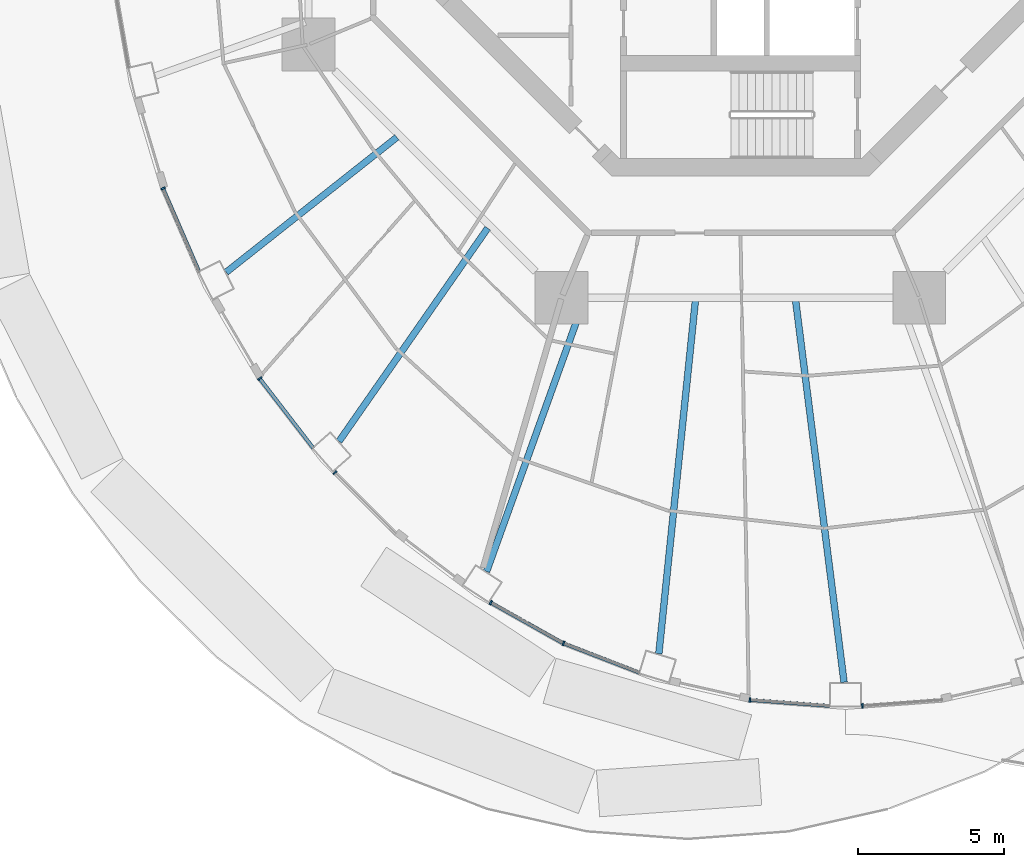
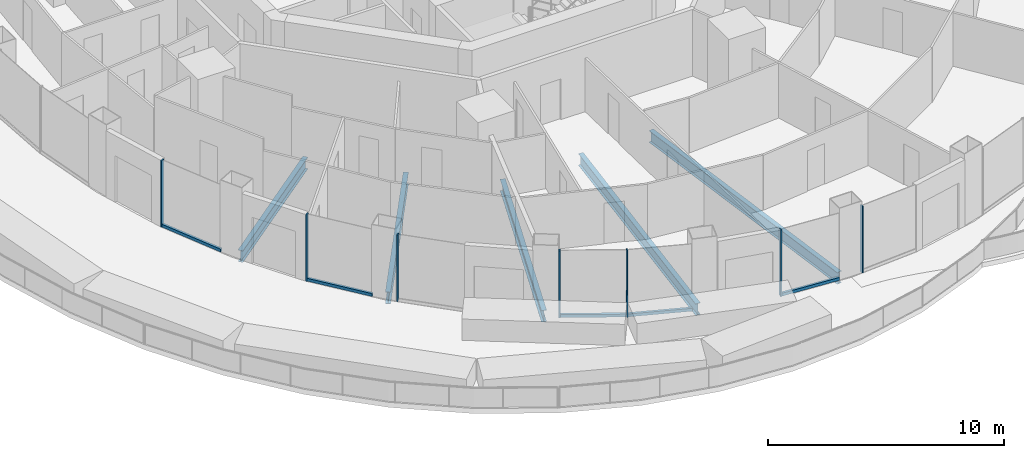
# One storey, part 2 of 20: 12 members, 5 beams, 7 elements without a shape of their own.
"""IFC4 building model written with IfcOpenShell, lengths in metres."""

from ifc_helpers import new_model, si_unit, direction, frame, origin, origin_2d, place, context, subcontext, project, spatial, rectangle, i_section, extrude, material, layer, layer_set, material_profile, profile_set, type_object, element, aggregate, save


model = new_model("IFC4")

# Units and contexts
model_context = context("Model", 3, precision=1e-05, world=origin(), true_north=direction((0.0, 1.0)))
body_context = subcontext(model_context, "Body", "Model", "MODEL_VIEW")
ifc_project = project(units=[si_unit("LENGTHUNIT", "METRE"), si_unit("AREAUNIT", "SQUARE_METRE"), si_unit("VOLUMEUNIT", "CUBIC_METRE"), si_unit("PLANEANGLEUNIT", "RADIAN"), si_unit("MASSUNIT", "GRAM", prefix="KILO")], contexts=[model_context])

# Site, building, storey
site_placement = place(None, origin())
site = spatial("IfcSite", under=ifc_project, at=site_placement, CompositionType="ELEMENT")
building_placement = place(site_placement, origin())
building = spatial("IfcBuilding", under=site, at=building_placement, Name="Nagisa Residences", CompositionType="ELEMENT")
storey_placement = place(building_placement, frame((0.0, 0.0, 165.89990234375)))
storey = spatial("IfcBuildingStorey", under=building, at=storey_placement, Name="L41", CompositionType="ELEMENT", Elevation=165.89990234375)

# Curtain wall, member
ifc_material_1 = material(Name="Concrete-coloured aluminium curtain wall system", Category="concrete")
ifc_layer = layer(ifc_material_1, 0.159912109375)
ifc_layer_set = layer_set([ifc_layer], Name="CW1 CURTAIN WALL")
curtain_wall_type = type_object("IfcCurtainWallType", Name="CW1 CURTAIN WALL", PredefinedType="NOTDEFINED", material=ifc_layer_set)
curtain_wall_1_placement = place(storey_placement, origin())
curtain_wall_1 = element("IfcCurtainWall", 1, at=curtain_wall_1_placement, inside=storey, type_object=curtain_wall_type, Name="cw:CW1:L41:27", PredefinedType="NOTDEFINED")
ifc_material_2 = material(Name="Concrete-coloured aluminium", Category="concrete")
ifc_material_profile_1 = material_profile(ifc_material_2, rectangle(XDim=0.159912109375, YDim=0.06005859375, at=origin_2d()), Name="CW1 MULLION 160x60")
ifc_profile_set_1 = profile_set([ifc_material_profile_1], Name="Concrete-coloured aluminium")
member_type_1 = type_object("IfcMemberType", Name="CW1 MULLION 160x60", PredefinedType="MULLION", material=ifc_profile_set_1)
member_1_placement = place(storey_placement, frame((-19.758056640625, -11.045654296875, 0.0), z_axis=(0.0, 0.0, 1.0), x_axis=(0.917543276295, 0.397635934147, 0.0)))
member_1 = element("IfcMember", 2, at=member_1_placement, type_object=member_type_1, Name="CW1 mullion", PredefinedType="MULLION", context=body_context, shape_type="SweptSolid", body=[
    extrude(rectangle(XDim=0.159912109375, YDim=0.06005859375, at=origin_2d()), origin(), (0.0, 0.0, 1.0), 3.440185546875),
])

curtain_wall_2_placement = place(storey_placement, origin())
curtain_wall_2 = element("IfcCurtainWall", 3, at=curtain_wall_2_placement, inside=storey, type_object=curtain_wall_type, Name="cw:CW1:L41:29", PredefinedType="NOTDEFINED")
member_2_placement = place(storey_placement, frame((-16.44970703125, -17.552978515625, 0.0), z_axis=(0.0, 0.0, 1.0), x_axis=(0.792070340816, 0.610429828235, 0.0)))
member_2 = element("IfcMember", 4, at=member_2_placement, type_object=member_type_1, Name="CW1 mullion", PredefinedType="MULLION", context=body_context, shape_type="SweptSolid", body=[
    extrude(rectangle(XDim=0.159912109375, YDim=0.06005859375, at=origin_2d()), origin(), (0.0, 0.0, 1.0), 3.440185546875),
])

curtain_wall_3_placement = place(storey_placement, origin())
curtain_wall_3 = element("IfcCurtainWall", 5, at=curtain_wall_3_placement, inside=storey, type_object=curtain_wall_type, Name="cw:CW1:L41:30", PredefinedType="NOTDEFINED")
member_3_placement = place(storey_placement, frame((-13.875732421875, -20.770751953125, 0.0), z_axis=(0.0, 0.0, 1.0), x_axis=(0.706376885714, 0.707835924016, 0.0)))
member_3 = element("IfcMember", 6, at=member_3_placement, type_object=member_type_1, Name="CW1 mullion", PredefinedType="MULLION", context=body_context, shape_type="SweptSolid", body=[
    extrude(rectangle(XDim=0.159912109375, YDim=0.06005859375, at=origin_2d()), origin(), (0.0, 0.0, 1.0), 3.440185546875),
])
aggregate(curtain_wall_3, [member_3])

curtain_wall_4_placement = place(storey_placement, origin())
curtain_wall_4 = element("IfcCurtainWall", 7, at=curtain_wall_4_placement, inside=storey, type_object=curtain_wall_type, Name="cw:CW1:L41:32", PredefinedType="NOTDEFINED")
member_4_placement = place(storey_placement, frame((-8.54248046875, -25.220458984375, 0.0), z_axis=(0.0, 0.0, 1.0), x_axis=(0.489376918501, 0.872072377523, 0.0)))
member_4 = element("IfcMember", 8, at=member_4_placement, type_object=member_type_1, Name="CW1 mullion", PredefinedType="MULLION", context=body_context, shape_type="SweptSolid", body=[
    extrude(rectangle(XDim=0.159912109375, YDim=0.06005859375, at=origin_2d()), origin(), (0.0, 0.0, 1.0), 3.440185546875),
])

curtain_wall_5_placement = place(storey_placement, origin())
curtain_wall_5 = element("IfcCurtainWall", 9, at=curtain_wall_5_placement, inside=storey, type_object=curtain_wall_type, Name="cw:CW1:L41:33", PredefinedType="NOTDEFINED")
member_5_placement = place(storey_placement, frame((-6.0537109375, -26.61328125, 0.0), z_axis=(0.0, 0.0, 1.0), x_axis=(0.360327770268, 0.932825759707, 0.0)))
member_5 = element("IfcMember", 10, at=member_5_placement, type_object=member_type_1, Name="CW1 mullion", PredefinedType="MULLION", context=body_context, shape_type="SweptSolid", body=[
    extrude(rectangle(XDim=0.159912109375, YDim=0.06005859375, at=origin_2d()), origin(), (0.0, 0.0, 1.0), 3.440185546875),
])

curtain_wall_6_placement = place(storey_placement, origin())
curtain_wall_6 = element("IfcCurtainWall", 11, at=curtain_wall_6_placement, inside=storey, type_object=curtain_wall_type, Name="cw:CW1:L41:35", PredefinedType="NOTDEFINED")
member_6_placement = place(storey_placement, frame((0.32373046875, -28.550537109375, 0.0), z_axis=(0.0, 0.0, 1.0), x_axis=(0.074377355493, 0.997230168512, 0.0)))
member_6 = element("IfcMember", 12, at=member_6_placement, type_object=member_type_1, Name="CW1 mullion", PredefinedType="MULLION", context=body_context, shape_type="SweptSolid", body=[
    extrude(rectangle(XDim=0.159912109375, YDim=0.06005859375, at=origin_2d()), origin(), (0.0, 0.0, 1.0), 3.440185546875),
])

curtain_wall_7_placement = place(storey_placement, origin())
curtain_wall_7 = element("IfcCurtainWall", 13, at=curtain_wall_7_placement, inside=storey, type_object=curtain_wall_type, Name="cw:CW1:L41:36", PredefinedType="NOTDEFINED")
member_7_placement = place(storey_placement, frame((4.17236328125, -28.752197265625, 0.0), z_axis=(0.0, 0.0, 1.0), x_axis=(-0.074377355493, 0.997230168512, 0.0)))
member_7 = element("IfcMember", 14, at=member_7_placement, type_object=member_type_1, Name="CW1 mullion", PredefinedType="MULLION", context=body_context, shape_type="SweptSolid", body=[
    extrude(rectangle(XDim=0.159912109375, YDim=0.06005859375, at=origin_2d()), origin(), (0.0, 0.0, 1.0), 3.440185546875),
])
aggregate(curtain_wall_7, [member_7])

# Member
ifc_material_3 = material(Name="Concrete-coloured aluminium", Category="concrete")
ifc_material_profile_2 = material_profile(ifc_material_3, rectangle(XDim=0.1201171875, YDim=0.14990234375, at=origin_2d()), Name="CW1 TRANSOM 120x150")
ifc_profile_set_2 = profile_set([ifc_material_profile_2], Name="Concrete-coloured aluminium")
member_type_2 = type_object("IfcMemberType", Name="CW1 TRANSOM 120x150", PredefinedType="USERDEFINED", material=ifc_profile_set_2)
member_8_placement = place(storey_placement, frame((-19.77001953125, -11.01806640625, 0.0751953125), z_axis=(0.397592173732, -0.917562239517, 0.0), x_axis=(0.917562239517, 0.397592173732, 0.0)))
member_8 = element("IfcMember", 15, at=member_8_placement, type_object=member_type_2, Name="CW1 transom", ObjectType="TRANSOM", PredefinedType="USERDEFINED", context=body_context, shape_type="SweptSolid", body=[
    extrude(rectangle(XDim=0.1201171875, YDim=0.14990234375, at=origin_2d()), origin(), (0.0, 0.0, 1.0), 3.14208984375),
])

aggregate(curtain_wall_1, [member_1, member_8])

member_9_placement = place(storey_placement, frame((-16.468017578125, -17.529052734375, 0.0751953125), z_axis=(0.610398538814, -0.792094453846, 0.0), x_axis=(0.792094453846, 0.610398538814, 0.0)))
member_9 = element("IfcMember", 16, at=member_9_placement, type_object=member_type_2, Name="CW1 transom", ObjectType="TRANSOM", PredefinedType="USERDEFINED", context=body_context, shape_type="SweptSolid", body=[
    extrude(rectangle(XDim=0.1201171875, YDim=0.14990234375, at=origin_2d()), origin(), (0.0, 0.0, 1.0), 3.035400390625),
])

aggregate(curtain_wall_2, [member_2, member_9])

member_10_placement = place(storey_placement, frame((-8.568603515625, -25.205810546875, 0.0751953125), z_axis=(0.872057843239, -0.489402817774, 0.0), x_axis=(0.489402817774, 0.872057843239, 0.0)))
member_10 = element("IfcMember", 17, at=member_10_placement, type_object=member_type_2, Name="CW1 transom", ObjectType="TRANSOM", PredefinedType="USERDEFINED", context=body_context, shape_type="SweptSolid", body=[
    extrude(rectangle(XDim=0.1201171875, YDim=0.14990234375, at=origin_2d()), origin(), (0.0, 0.0, 1.0), 2.863525390625),
])

aggregate(curtain_wall_4, [member_4, member_10])

member_11_placement = place(storey_placement, frame((-6.081787109375, -26.602294921875, 0.0751953125), z_axis=(0.932806734513, -0.360377019311, 0.0), x_axis=(0.360377019311, 0.932806734513, 0.0)))
member_11 = element("IfcMember", 18, at=member_11_placement, type_object=member_type_2, Name="CW1 transom", ObjectType="TRANSOM", PredefinedType="USERDEFINED", context=body_context, shape_type="SweptSolid", body=[
    extrude(rectangle(XDim=0.1201171875, YDim=0.14990234375, at=origin_2d()), origin(), (0.0, 0.0, 1.0), 2.819580078125),
])

aggregate(curtain_wall_5, [member_5, member_11])

member_12_placement = place(storey_placement, frame((0.2939453125, -28.548095703125, 0.0751953125), z_axis=(0.99722504052, -0.074446078208, 0.0), x_axis=(0.074446078208, 0.99722504052, 0.0)))
member_12 = element("IfcMember", 19, at=member_12_placement, type_object=member_type_2, Name="CW1 transom", ObjectType="TRANSOM", PredefinedType="USERDEFINED", context=body_context, shape_type="SweptSolid", body=[
    extrude(rectangle(XDim=0.1201171875, YDim=0.14990234375, at=origin_2d()), origin(), (0.0, 0.0, 1.0), 2.77099609375),
])

aggregate(curtain_wall_6, [member_6, member_12])

# Beams
ifc_material_4 = material(Name="Steel ASTM A572 Gr 50", Category="steel")
ifc_material_profile_3 = material_profile(ifc_material_4, i_section(OverallWidth=0.22802734375, OverallDepth=0.60302734375, WebThickness=0.010498046875, FlangeThickness=0.014892578125, at=origin_2d()), Name="W610x101")
ifc_profile_set_3 = profile_set([ifc_material_profile_3], Name="Steel ASTM A572 Gr 50")
beam_type = type_object("IfcBeamType", Name="Radial beam W610x101", PredefinedType="BEAM", material=ifc_profile_set_3)
beam_1_placement = place(storey_placement, frame((-17.597900390625, -13.9150390625, -0.5615234375), z_axis=(0.784414107292, 0.620237461205, 0.0), x_axis=(-0.620237461205, 0.784414107292, 0.0)))
element("IfcBeam", 20, at=beam_1_placement, inside=storey, type_object=beam_type, Name="beam:L41:rb15", PredefinedType="BEAM", context=body_context, shape_type="SweptSolid", body=[
    extrude(i_section(OverallWidth=0.22802734375, OverallDepth=0.60302734375, WebThickness=0.010498046875, FlangeThickness=0.014892578125, at=origin_2d()), origin(), (0.0, 0.0, 1.0), 7.4443359375),
])
beam_2_placement = place(storey_placement, frame((-13.735595703125, -19.700439453125, -0.5615234375), z_axis=(0.571928173767, 0.820303702327, 0.0), x_axis=(-0.820303702327, 0.571928173767, 0.0)))
element("IfcBeam", 21, at=beam_2_placement, inside=storey, type_object=beam_type, Name="beam:L41:rb16", PredefinedType="BEAM", context=body_context, shape_type="SweptSolid", body=[
    extrude(i_section(OverallWidth=0.22802734375, OverallDepth=0.60302734375, WebThickness=0.010498046875, FlangeThickness=0.014892578125, at=origin_2d()), origin(), (0.0, 0.0, 1.0), 8.891845703125),
])
beam_3_placement = place(storey_placement, frame((-8.687744140625, -24.15673828125, -0.5615234375), z_axis=(0.33843062624, 0.940991344925, 0.0), x_axis=(-0.940991344925, 0.33843062624, 0.0)))
element("IfcBeam", 22, at=beam_3_placement, inside=storey, type_object=beam_type, Name="beam:L41:rb17", PredefinedType="BEAM", context=body_context, shape_type="SweptSolid", body=[
    extrude(i_section(OverallWidth=0.22802734375, OverallDepth=0.60302734375, WebThickness=0.010498046875, FlangeThickness=0.014892578125, at=origin_2d()), origin(), (0.0, 0.0, 1.0), 9.84765625),
])
beam_4_placement = place(storey_placement, frame((-2.79296875, -26.971923828125, -0.5615234375), z_axis=(0.103003377525, 0.994681006262, 0.0), x_axis=(-0.994681006262, 0.103003377525, 0.0)))
element("IfcBeam", 23, at=beam_4_placement, inside=storey, type_object=beam_type, Name="beam:L41:rb18", PredefinedType="BEAM", context=body_context, shape_type="SweptSolid", body=[
    extrude(i_section(OverallWidth=0.22802734375, OverallDepth=0.60302734375, WebThickness=0.010498046875, FlangeThickness=0.014892578125, at=origin_2d()), origin(), (0.0, 0.0, 1.0), 12.1474609375),
])
beam_5_placement = place(storey_placement, frame((3.54541015625, -27.94482421875, -0.5615234375), z_axis=(-0.12587024, 0.992046713962, 0.0), x_axis=(-0.992046713962, -0.12587024, 0.0)))
element("IfcBeam", 24, at=beam_5_placement, inside=storey, type_object=beam_type, Name="beam:L41:rb19", PredefinedType="BEAM", context=body_context, shape_type="SweptSolid", body=[
    extrude(i_section(OverallWidth=0.22802734375, OverallDepth=0.60302734375, WebThickness=0.010498046875, FlangeThickness=0.014892578125, at=origin_2d()), origin(), (0.0, 0.0, 1.0), 13.160400390625),
])

save(model, "model.ifc")
